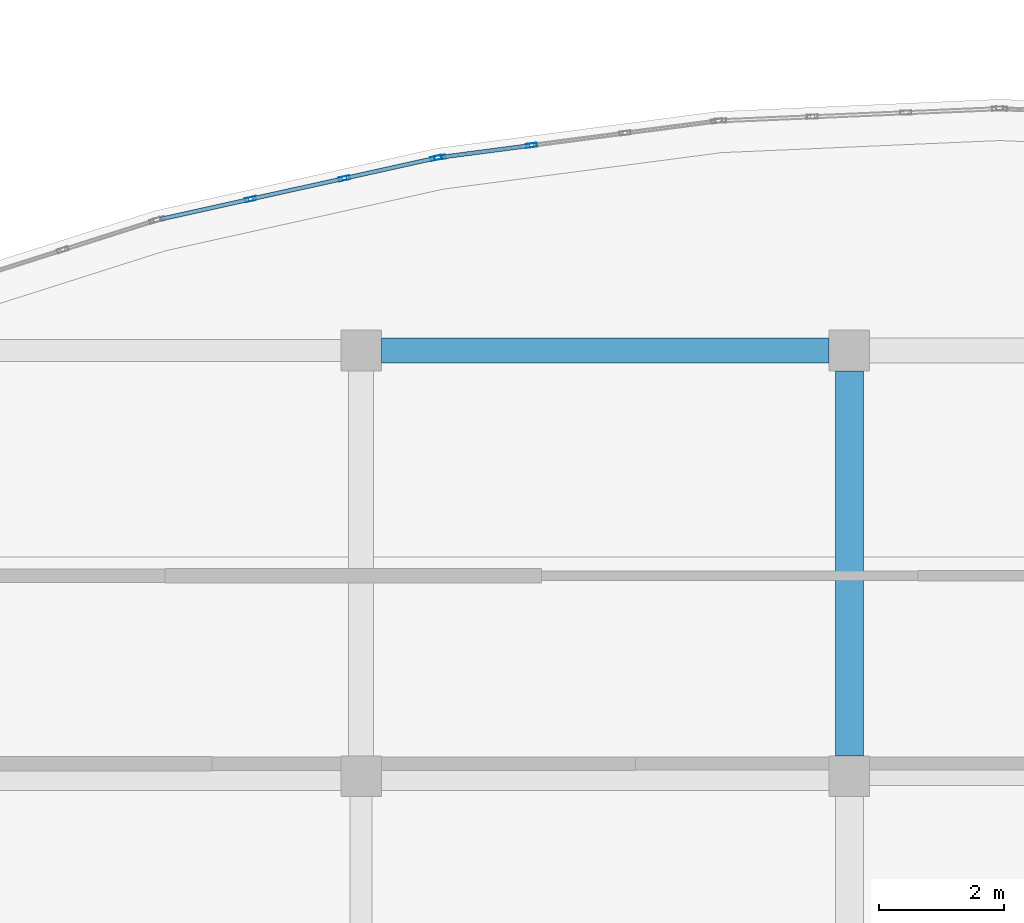
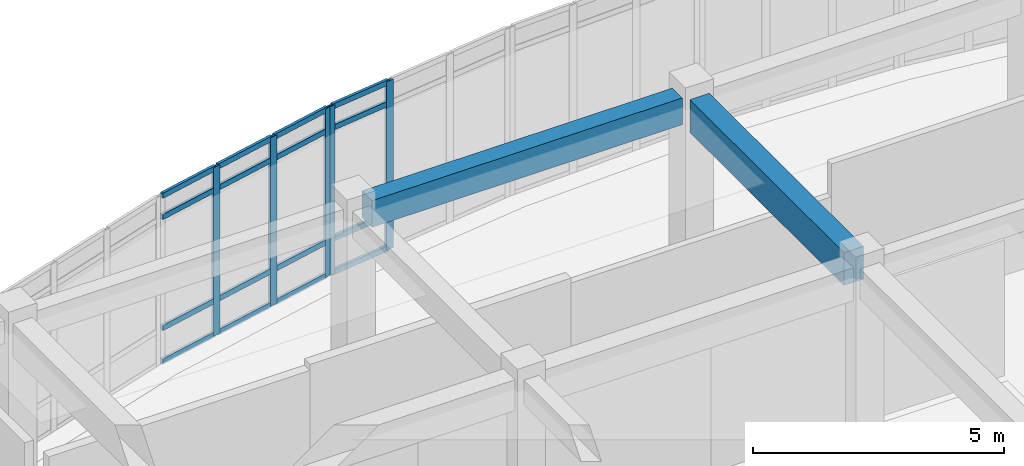
# One storey, part 45 of 142: 21 members, 2 beams, 2 elements without a shape of their own.
"""IFC4 building model written with IfcOpenShell, lengths in metres."""

from ifc_helpers import new_model, si_unit, direction, frame, origin, origin_2d, place, context, subcontext, project, spatial, rectangle, hollow_rectangle, extrude, material, layer, layer_set, material_profile, profile_set, type_object, element, aggregate, save


model = new_model("IFC4")

# Units and contexts
model_context = context("Model", 3, precision=1e-05, world=origin(), true_north=direction((0.0, 1.0)))
body_context = subcontext(model_context, "Body", "Model", "MODEL_VIEW")
ifc_project = project(units=[si_unit("LENGTHUNIT", "METRE"), si_unit("AREAUNIT", "SQUARE_METRE"), si_unit("VOLUMEUNIT", "CUBIC_METRE"), si_unit("PLANEANGLEUNIT", "RADIAN"), si_unit("MASSUNIT", "GRAM", prefix="KILO")], contexts=[model_context])

# Site, building, storey
site_placement = place(None, origin())
site = spatial("IfcSite", under=ifc_project, at=site_placement, CompositionType="ELEMENT")
building_placement = place(site_placement, origin())
building = spatial("IfcBuilding", under=site, at=building_placement, Name="Valcora Specialist Clinic", CompositionType="ELEMENT")
storey_placement = place(building_placement, frame((0.0, 0.0, 5.10009765625)))
storey = spatial("IfcBuildingStorey", under=building, at=storey_placement, Name="L01", CompositionType="ELEMENT", Elevation=5.10009765625)

# Beams
ifc_material_1 = material(Name="Concrete C40/50", Category="concrete")
ifc_material_profile_1 = material_profile(ifc_material_1, rectangle(XDim=0.39990234375, YDim=0.64990234375, at=origin_2d()), Name="RC-BM-400X650")
ifc_profile_set_1 = profile_set([ifc_material_profile_1], Name="Concrete C40/50")
beam_type_1 = type_object("IfcBeamType", Name="TY-BM-RC400X650", PredefinedType="BEAM", material=ifc_profile_set_1)
beam_1_placement = place(storey_placement, frame((77.125, 22.0, 3.77978515625), z_axis=(1.0, 0.0, 0.0), x_axis=(0.0, 1.0, 0.0)))
element("IfcBeam", 1, at=beam_1_placement, inside=storey, type_object=beam_type_1, Name="Beam BM-L01-1323", PredefinedType="BEAM", context=body_context, shape_type="SweptSolid", body=[
    extrude(rectangle(XDim=0.39990234375, YDim=0.64990234375, at=origin_2d()), origin(), (0.0, 0.0, 1.0), 7.14990234375),
])
ifc_material_profile_2 = material_profile(ifc_material_1, rectangle(XDim=0.449951171875, YDim=0.800048828125, at=origin_2d()), Name="RC-BM-450X800")
ifc_profile_set_2 = profile_set([ifc_material_profile_2], Name="Concrete C40/50")
beam_type_2 = type_object("IfcBeamType", Name="TY-BM-RC450X800", PredefinedType="BEAM", material=ifc_profile_set_2)
beam_2_placement = place(storey_placement, frame((84.60009765625, 15.52490234375, 3.704833984375), z_axis=(0.0, 1.0, 0.0), x_axis=(-1.0, 0.0, 0.0)))
element("IfcBeam", 2, at=beam_2_placement, inside=storey, type_object=beam_type_2, Name="Beam BM-L01-1342", PredefinedType="BEAM", context=body_context, shape_type="SweptSolid", body=[
    extrude(rectangle(XDim=0.449951171875, YDim=0.800048828125, at=origin_2d()), origin(), (0.0, 0.0, 1.0), 6.150146484375),
])

# Curtain wall, members
ifc_material_2 = material(Name="Anodized Bronze Aluminium 6063-T6", Category="aluminium")
ifc_layer = layer(ifc_material_2, 0.175048828125)
ifc_layer_set = layer_set([ifc_layer], Name="Anodized Bronze Aluminium 6063-T6")
curtain_wall_type = type_object("IfcCurtainWallType", Name="TY-CW-ARC44", PredefinedType="NOTDEFINED", material=ifc_layer_set)
curtain_wall_1_placement = place(storey_placement, origin())
curtain_wall_1 = element("IfcCurtainWall", 3, at=curtain_wall_1_placement, inside=storey, type_object=curtain_wall_type, Name="Curtain wall CW-L01-195", PredefinedType="NOTDEFINED")
ifc_material_profile_3 = material_profile(ifc_material_2, hollow_rectangle(XDim=0.06494140625, YDim=0.175048828125, WallThickness=0.00390625, at=origin_2d()), Name="AL-MUL-65X175")
ifc_profile_set_3 = profile_set([ifc_material_profile_3], Name="Anodized Bronze Aluminium 6063-T6")
member_type_1 = type_object("IfcMemberType", Name="TY-CWM-65X175", PredefinedType="MULLION", material=ifc_profile_set_3)
member_1_placement = place(storey_placement, frame((75.03466796875, 24.418701171875, 0.0), z_axis=(0.0, 0.0, 1.0), x_axis=(-0.216518052372, 0.976278614432, 0.0)))
member_1 = element("IfcMember", 4, at=member_1_placement, type_object=member_type_1, Name="CW-ARC-44 mullion 2", PredefinedType="MULLION", context=body_context, shape_type="SweptSolid", body=[
    extrude(hollow_rectangle(XDim=0.06494140625, YDim=0.175048828125, WallThickness=0.00390625, at=origin_2d()), origin(), (0.0, 0.0, 1.0), 4.10498046875),
])
member_2_placement = place(storey_placement, frame((76.5302734375, 24.75048828125, 0.0), z_axis=(0.0, 0.0, 1.0), x_axis=(-0.216518052372, 0.976278614432, 0.0)))
member_2 = element("IfcMember", 5, at=member_2_placement, type_object=member_type_1, Name="CW-ARC-44 mullion 3", PredefinedType="MULLION", context=body_context, shape_type="SweptSolid", body=[
    extrude(hollow_rectangle(XDim=0.06494140625, YDim=0.175048828125, WallThickness=0.00390625, at=origin_2d()), origin(), (0.0, 0.0, 1.0), 4.10498046875),
])
member_3_placement = place(storey_placement, frame((77.994384765625, 25.074951171875, 0.0), z_axis=(0.0, 0.0, 1.0), x_axis=(-0.216518052372, 0.976278614432, 0.0)))
member_3 = element("IfcMember", 6, at=member_3_placement, type_object=member_type_1, Name="CW-ARC-44 mullion 4", PredefinedType="MULLION", context=body_context, shape_type="SweptSolid", body=[
    extrude(hollow_rectangle(XDim=0.06494140625, YDim=0.175048828125, WallThickness=0.00390625, at=origin_2d()), origin(), (0.0, 0.0, 1.0), 4.10498046875),
])

curtain_wall_2_placement = place(storey_placement, origin())
curtain_wall_2 = element("IfcCurtainWall", 7, at=curtain_wall_2_placement, inside=storey, type_object=curtain_wall_type, Name="Curtain wall CW-L01-196", PredefinedType="NOTDEFINED")
member_4_placement = place(storey_placement, frame((78.05810546875, 25.08642578125, 0.0), z_axis=(0.0, 0.0, 1.0), x_axis=(-0.129999492259, 0.991514060421, 0.0)))
member_4 = element("IfcMember", 8, at=member_4_placement, type_object=member_type_1, Name="CW-ARC-44 mullion 1", PredefinedType="MULLION", context=body_context, shape_type="SweptSolid", body=[
    extrude(hollow_rectangle(XDim=0.06494140625, YDim=0.175048828125, WallThickness=0.00390625, at=origin_2d()), origin(), (0.0, 0.0, 1.0), 4.10498046875),
])
member_5_placement = place(storey_placement, frame((79.521728515625, 25.2783203125, 0.0), z_axis=(0.0, 0.0, 1.0), x_axis=(-0.129999492259, 0.991514060421, 0.0)))
member_5 = element("IfcMember", 9, at=member_5_placement, type_object=member_type_1, Name="CW-ARC-44 mullion 2", PredefinedType="MULLION", context=body_context, shape_type="SweptSolid", body=[
    extrude(hollow_rectangle(XDim=0.06494140625, YDim=0.175048828125, WallThickness=0.00390625, at=origin_2d()), origin(), (0.0, 0.0, 1.0), 4.10498046875),
])

# Member
ifc_material_profile_4 = material_profile(ifc_material_2, hollow_rectangle(XDim=0.06494140625, YDim=0.1298828125, WallThickness=0.00390625, at=origin_2d()), Name="AL-TRN-65X130")
ifc_profile_set_4 = profile_set([ifc_material_profile_4], Name="Anodized Bronze Aluminium 6063-T6")
member_type_2 = type_object("IfcMemberType", Name="TY-CWT-65X130", PredefinedType="USERDEFINED", material=ifc_profile_set_4)
member_6_placement = place(storey_placement, frame((73.6025390625, 24.10107421875, 0.032470703125), z_axis=(0.976283078872, 0.216497921256, 0.0), x_axis=(-0.216497921256, 0.976283078872, 0.0)))
member_6 = element("IfcMember", 10, at=member_6_placement, type_object=member_type_2, Name="CW-ARC-44 transom 1.1", ObjectType="TRANSOM", PredefinedType="USERDEFINED", context=body_context, shape_type="SweptSolid", body=[
    extrude(hollow_rectangle(XDim=0.06494140625, YDim=0.1298828125, WallThickness=0.00390625, at=origin_2d()), origin(), (0.0, 0.0, 1.0), 1.434326171875),
])

member_7_placement = place(storey_placement, frame((73.6025390625, 24.10107421875, 0.849853515625), z_axis=(0.976283078872, 0.216497921256, 0.0), x_axis=(-0.216497921256, 0.976283078872, 0.0)))
member_7 = element("IfcMember", 11, at=member_7_placement, type_object=member_type_2, Name="CW-ARC-44 transom 1.2", ObjectType="TRANSOM", PredefinedType="USERDEFINED", context=body_context, shape_type="SweptSolid", body=[
    extrude(hollow_rectangle(XDim=0.06494140625, YDim=0.1298828125, WallThickness=0.00390625, at=origin_2d()), origin(), (0.0, 0.0, 1.0), 1.434326171875),
])

member_8_placement = place(storey_placement, frame((73.6025390625, 24.10107421875, 3.554931640625), z_axis=(0.976283078872, 0.216497921256, 0.0), x_axis=(-0.216497921256, 0.976283078872, 0.0)))
member_8 = element("IfcMember", 12, at=member_8_placement, type_object=member_type_2, Name="CW-ARC-44 transom 1.3", ObjectType="TRANSOM", PredefinedType="USERDEFINED", context=body_context, shape_type="SweptSolid", body=[
    extrude(hollow_rectangle(XDim=0.06494140625, YDim=0.1298828125, WallThickness=0.00390625, at=origin_2d()), origin(), (0.0, 0.0, 1.0), 1.434326171875),
])

member_9_placement = place(storey_placement, frame((73.6025390625, 24.10107421875, 4.072509765625), z_axis=(0.976283078872, 0.216497921256, 0.0), x_axis=(-0.216497921256, 0.976283078872, 0.0)))
member_9 = element("IfcMember", 13, at=member_9_placement, type_object=member_type_2, Name="CW-ARC-44 transom 1.4", ObjectType="TRANSOM", PredefinedType="USERDEFINED", context=body_context, shape_type="SweptSolid", body=[
    extrude(hollow_rectangle(XDim=0.06494140625, YDim=0.1298828125, WallThickness=0.00390625, at=origin_2d()), origin(), (0.0, 0.0, 1.0), 1.434326171875),
])

member_10_placement = place(storey_placement, frame((75.06640625, 24.42578125, 0.032470703125), z_axis=(0.976277043921, 0.216525133676, 0.0), x_axis=(-0.216525133676, 0.976277043921, 0.0)))
member_10 = element("IfcMember", 14, at=member_10_placement, type_object=member_type_2, Name="CW-ARC-44 transom 2.1", ObjectType="TRANSOM", PredefinedType="USERDEFINED", context=body_context, shape_type="SweptSolid", body=[
    extrude(hollow_rectangle(XDim=0.06494140625, YDim=0.1298828125, WallThickness=0.00390625, at=origin_2d()), origin(), (0.0, 0.0, 1.0), 1.467041015625),
])

member_11_placement = place(storey_placement, frame((75.06640625, 24.42578125, 0.849853515625), z_axis=(0.976277043921, 0.216525133676, 0.0), x_axis=(-0.216525133676, 0.976277043921, 0.0)))
member_11 = element("IfcMember", 15, at=member_11_placement, type_object=member_type_2, Name="CW-ARC-44 transom 2.2", ObjectType="TRANSOM", PredefinedType="USERDEFINED", context=body_context, shape_type="SweptSolid", body=[
    extrude(hollow_rectangle(XDim=0.06494140625, YDim=0.1298828125, WallThickness=0.00390625, at=origin_2d()), origin(), (0.0, 0.0, 1.0), 1.467041015625),
])

member_12_placement = place(storey_placement, frame((75.06640625, 24.42578125, 3.554931640625), z_axis=(0.976277043921, 0.216525133676, 0.0), x_axis=(-0.216525133676, 0.976277043921, 0.0)))
member_12 = element("IfcMember", 16, at=member_12_placement, type_object=member_type_2, Name="CW-ARC-44 transom 2.3", ObjectType="TRANSOM", PredefinedType="USERDEFINED", context=body_context, shape_type="SweptSolid", body=[
    extrude(hollow_rectangle(XDim=0.06494140625, YDim=0.1298828125, WallThickness=0.00390625, at=origin_2d()), origin(), (0.0, 0.0, 1.0), 1.467041015625),
])

member_13_placement = place(storey_placement, frame((75.06640625, 24.42578125, 4.072509765625), z_axis=(0.976277043921, 0.216525133676, 0.0), x_axis=(-0.216525133676, 0.976277043921, 0.0)))
member_13 = element("IfcMember", 17, at=member_13_placement, type_object=member_type_2, Name="CW-ARC-44 transom 2.4", ObjectType="TRANSOM", PredefinedType="USERDEFINED", context=body_context, shape_type="SweptSolid", body=[
    extrude(hollow_rectangle(XDim=0.06494140625, YDim=0.1298828125, WallThickness=0.00390625, at=origin_2d()), origin(), (0.0, 0.0, 1.0), 1.467041015625),
])

member_14_placement = place(storey_placement, frame((76.56201171875, 24.75732421875, 0.032470703125), z_axis=(0.976255079417, 0.216624144343, 0.0), x_axis=(-0.216624144343, 0.976255079417, 0.0)))
member_14 = element("IfcMember", 18, at=member_14_placement, type_object=member_type_2, Name="CW-ARC-44 transom 3.1", ObjectType="TRANSOM", PredefinedType="USERDEFINED", context=body_context, shape_type="SweptSolid", body=[
    extrude(hollow_rectangle(XDim=0.06494140625, YDim=0.1298828125, WallThickness=0.00390625, at=origin_2d()), origin(), (0.0, 0.0, 1.0), 1.434814453125),
])

member_15_placement = place(storey_placement, frame((76.56201171875, 24.75732421875, 0.849853515625), z_axis=(0.976255079417, 0.216624144343, 0.0), x_axis=(-0.216624144343, 0.976255079417, 0.0)))
member_15 = element("IfcMember", 19, at=member_15_placement, type_object=member_type_2, Name="CW-ARC-44 transom 3.2", ObjectType="TRANSOM", PredefinedType="USERDEFINED", context=body_context, shape_type="SweptSolid", body=[
    extrude(hollow_rectangle(XDim=0.06494140625, YDim=0.1298828125, WallThickness=0.00390625, at=origin_2d()), origin(), (0.0, 0.0, 1.0), 1.434814453125),
])

member_16_placement = place(storey_placement, frame((76.56201171875, 24.75732421875, 3.554931640625), z_axis=(0.976255079417, 0.216624144343, 0.0), x_axis=(-0.216624144343, 0.976255079417, 0.0)))
member_16 = element("IfcMember", 20, at=member_16_placement, type_object=member_type_2, Name="CW-ARC-44 transom 3.3", ObjectType="TRANSOM", PredefinedType="USERDEFINED", context=body_context, shape_type="SweptSolid", body=[
    extrude(hollow_rectangle(XDim=0.06494140625, YDim=0.1298828125, WallThickness=0.00390625, at=origin_2d()), origin(), (0.0, 0.0, 1.0), 1.434814453125),
])

member_17_placement = place(storey_placement, frame((76.56201171875, 24.75732421875, 4.072509765625), z_axis=(0.976255079417, 0.216624144343, 0.0), x_axis=(-0.216624144343, 0.976255079417, 0.0)))
member_17 = element("IfcMember", 21, at=member_17_placement, type_object=member_type_2, Name="CW-ARC-44 transom 3.4", ObjectType="TRANSOM", PredefinedType="USERDEFINED", context=body_context, shape_type="SweptSolid", body=[
    extrude(hollow_rectangle(XDim=0.06494140625, YDim=0.1298828125, WallThickness=0.00390625, at=origin_2d()), origin(), (0.0, 0.0, 1.0), 1.434814453125),
])

aggregate(curtain_wall_1, [member_1, member_2, member_3, member_6, member_7, member_8, member_9, member_10, member_11, member_12, member_13, member_14, member_15, member_16, member_17])

member_18_placement = place(storey_placement, frame((78.09033203125, 25.090576171875, 0.032470703125), z_axis=(0.991523055248, 0.129930869742, 0.0), x_axis=(-0.129930869742, 0.991523055248, 0.0)))
member_18 = element("IfcMember", 22, at=member_18_placement, type_object=member_type_2, Name="CW-ARC-44 transom 1.1", ObjectType="TRANSOM", PredefinedType="USERDEFINED", context=body_context, shape_type="SweptSolid", body=[
    extrude(hollow_rectangle(XDim=0.06494140625, YDim=0.1298828125, WallThickness=0.00390625, at=origin_2d()), origin(), (0.0, 0.0, 1.0), 1.4111328125),
])

member_19_placement = place(storey_placement, frame((78.09033203125, 25.090576171875, 0.849853515625), z_axis=(0.991523055248, 0.129930869742, 0.0), x_axis=(-0.129930869742, 0.991523055248, 0.0)))
member_19 = element("IfcMember", 23, at=member_19_placement, type_object=member_type_2, Name="CW-ARC-44 transom 1.2", ObjectType="TRANSOM", PredefinedType="USERDEFINED", context=body_context, shape_type="SweptSolid", body=[
    extrude(hollow_rectangle(XDim=0.06494140625, YDim=0.1298828125, WallThickness=0.00390625, at=origin_2d()), origin(), (0.0, 0.0, 1.0), 1.4111328125),
])

member_20_placement = place(storey_placement, frame((78.09033203125, 25.090576171875, 3.554931640625), z_axis=(0.991523055248, 0.129930869742, 0.0), x_axis=(-0.129930869742, 0.991523055248, 0.0)))
member_20 = element("IfcMember", 24, at=member_20_placement, type_object=member_type_2, Name="CW-ARC-44 transom 1.3", ObjectType="TRANSOM", PredefinedType="USERDEFINED", context=body_context, shape_type="SweptSolid", body=[
    extrude(hollow_rectangle(XDim=0.06494140625, YDim=0.1298828125, WallThickness=0.00390625, at=origin_2d()), origin(), (0.0, 0.0, 1.0), 1.4111328125),
])

member_21_placement = place(storey_placement, frame((78.09033203125, 25.090576171875, 4.072509765625), z_axis=(0.991523055248, 0.129930869742, 0.0), x_axis=(-0.129930869742, 0.991523055248, 0.0)))
member_21 = element("IfcMember", 25, at=member_21_placement, type_object=member_type_2, Name="CW-ARC-44 transom 1.4", ObjectType="TRANSOM", PredefinedType="USERDEFINED", context=body_context, shape_type="SweptSolid", body=[
    extrude(hollow_rectangle(XDim=0.06494140625, YDim=0.1298828125, WallThickness=0.00390625, at=origin_2d()), origin(), (0.0, 0.0, 1.0), 1.4111328125),
])

aggregate(curtain_wall_2, [member_4, member_5, member_18, member_19, member_20, member_21])

save(model, "model.ifc")
